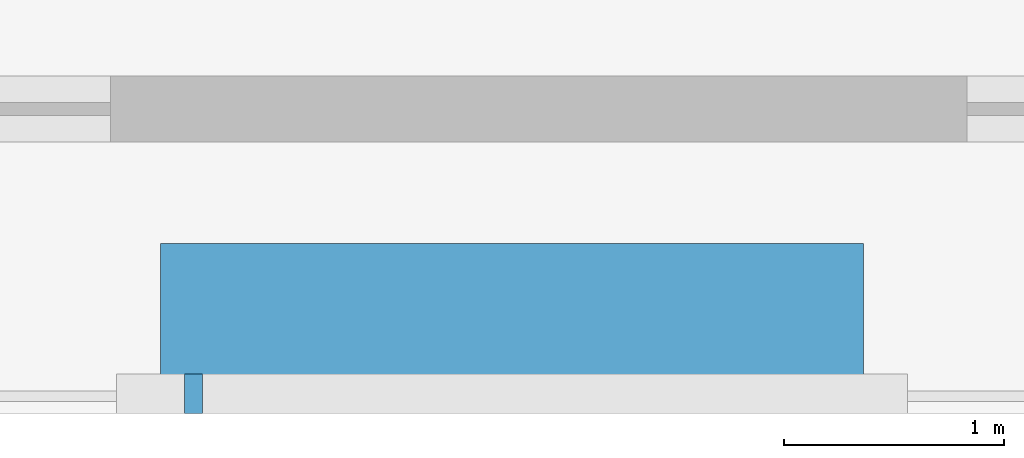
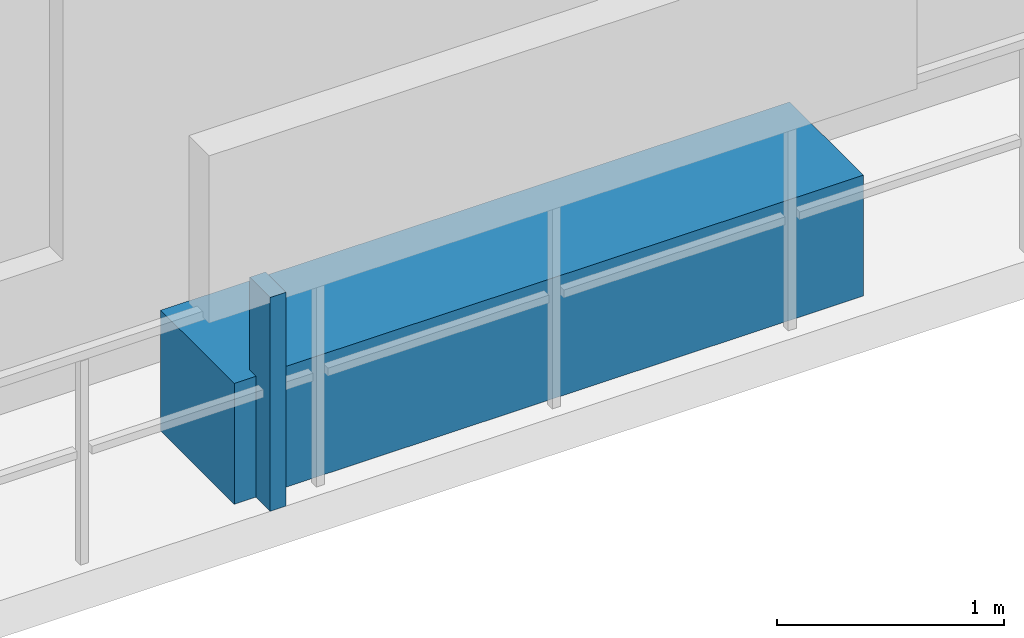
# One storey, part 29 of 34: 2 discrete accessories.
"""IFC4 building model written with IfcOpenShell, lengths in metres."""

from ifc_helpers import new_model, si_unit, direction, frame, origin, origin_2d, place, context, subcontext, project, spatial, rectangle, extrude, material, type_object, element, save


model = new_model("IFC4")

# Units and contexts
model_context = context("Model", 3, precision=1e-05, world=origin(), true_north=direction((0.0, 1.0)))
body_context = subcontext(model_context, "Body", "Model", "MODEL_VIEW")
ifc_project = project(units=[si_unit("LENGTHUNIT", "METRE"), si_unit("AREAUNIT", "SQUARE_METRE"), si_unit("VOLUMEUNIT", "CUBIC_METRE"), si_unit("PLANEANGLEUNIT", "RADIAN"), si_unit("MASSUNIT", "GRAM", prefix="KILO")], contexts=[model_context])

# Site, building, storey
site_placement = place(None, origin())
site = spatial("IfcSite", under=ifc_project, at=site_placement, CompositionType="ELEMENT")
building_placement = place(site_placement, origin())
building = spatial("IfcBuilding", under=site, at=building_placement, Name="Thornwick Lancets Civic Towers", CompositionType="ELEMENT")
storey_placement = place(building_placement, frame((0.0, 0.0, 60.89990234375)))
storey = spatial("IfcBuildingStorey", under=building, at=storey_placement, Name="L15", CompositionType="ELEMENT", Elevation=60.89990234375)

# Discrete accessories
ifc_material_1 = material(Name="Planted terracotta greenery planter", Category="masonry")
discrete_accessory_type_1 = type_object("IfcDiscreteAccessoryType", Name="ACC_PLANTER_BOX", PredefinedType="USERDEFINED", material=ifc_material_1)
discrete_accessory_1_placement = place(storey_placement, frame((25.5, 1.800048828125, 0.000244140625), z_axis=(0.0, 0.0, 1.0), x_axis=(1.0, 0.0, 0.0)))
element("IfcDiscreteAccessory", 1, at=discrete_accessory_1_placement, inside=storey, type_object=discrete_accessory_type_1, Name="L15 Tower A Balcony Greenery Planter S", ObjectType="PLANTER", PredefinedType="USERDEFINED", context=body_context, shape_type="SweptSolid", body=[
    extrude(rectangle(XDim=3.199951171875, YDim=0.64990234375, at=origin_2d()), origin(), (0.0, 0.0, 1.0), 0.64990234375),
])
ifc_material_2 = material(Name="Stainless steel S355", Category="steel")
discrete_accessory_type_2 = type_object("IfcDiscreteAccessoryType", Name="ACC_SCREEN_BRACKET", PredefinedType="BRACKET", material=ifc_material_2)
discrete_accessory_2_placement = place(storey_placement, frame((24.050048828125, 1.43994140625, 0.000244140625), z_axis=(0.0, 0.0, 1.0), x_axis=(1.0, 0.0, 0.0)))
element("IfcDiscreteAccessory", 2, at=discrete_accessory_2_placement, inside=storey, type_object=discrete_accessory_type_2, Name="L15 Tower A Balcony Screen Stanchion Bracket S-1", PredefinedType="BRACKET", context=body_context, shape_type="SweptSolid", body=[
    extrude(rectangle(XDim=0.080078125, YDim=0.179931640625, at=origin_2d()), origin(), (0.0, 0.0, 1.0), 1.14990234375),
])

save(model, "model.ifc")
